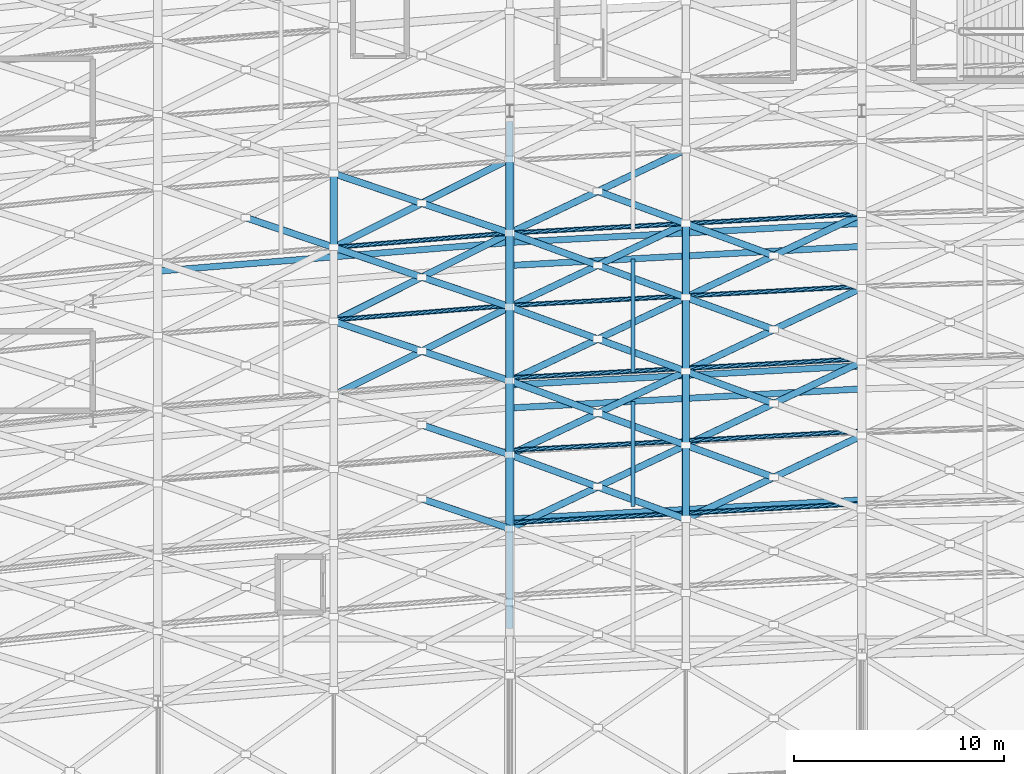
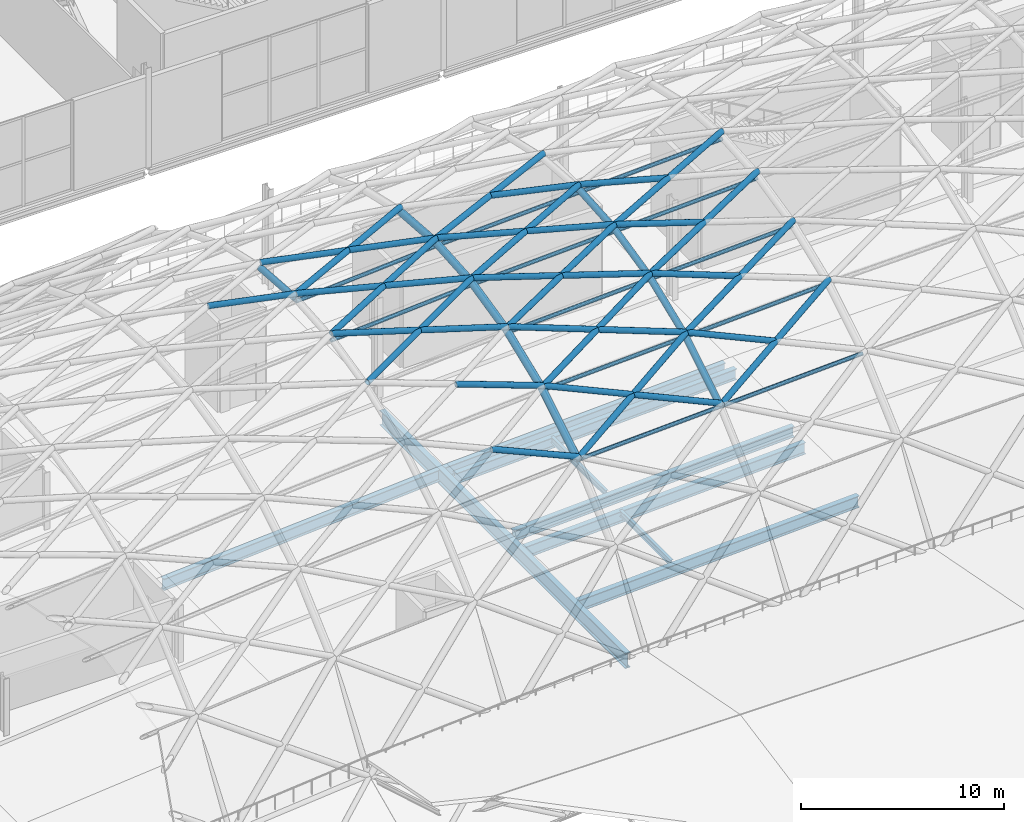
# One storey, part 16 of 100: 56 members, 9 beams.
"""IFC4 building model written with IfcOpenShell, lengths in metres."""

from ifc_helpers import new_model, si_unit, direction, frame, origin, origin_2d, place, context, subcontext, project, spatial, hollow_circle, i_section, extrude, material, material_profile, profile_set, type_object, element, save


model = new_model("IFC4")

# Units and contexts
model_context = context("Model", 3, precision=1e-05, world=origin(), true_north=direction((0.0, 1.0)))
body_context = subcontext(model_context, "Body", "Model", "MODEL_VIEW")
ifc_project = project(units=[si_unit("LENGTHUNIT", "METRE"), si_unit("AREAUNIT", "SQUARE_METRE"), si_unit("VOLUMEUNIT", "CUBIC_METRE"), si_unit("PLANEANGLEUNIT", "RADIAN"), si_unit("MASSUNIT", "GRAM", prefix="KILO")], contexts=[model_context])

# Site, building, storey
site_placement = place(None, origin())
site = spatial("IfcSite", under=ifc_project, at=site_placement, CompositionType="ELEMENT")
building_placement = place(site_placement, origin())
building = spatial("IfcBuilding", under=site, at=building_placement, Name="Kimbaza Rail Terminus", CompositionType="ELEMENT")
storey_placement = place(building_placement, frame((0.0, 0.0, 10.800048828125)))
storey = spatial("IfcBuildingStorey", under=building, at=storey_placement, Name="L02", CompositionType="ELEMENT", Elevation=10.800048828125)

# Beams
ifc_material_1 = material(Name="Steel S355", Category="steel")
ifc_material_profile_1 = material_profile(ifc_material_1, i_section(OverallWidth=0.300048828125, OverallDepth=0.64990234375, WebThickness=0.01611328125, FlangeThickness=0.031005859375, FilletRadius=0.027099609375, at=origin_2d()), Name="HEB 650")
ifc_profile_set_1 = profile_set([ifc_material_profile_1], Name="Steel S355")
beam_type_1 = type_object("IfcBeamType", Name="STR-BM-HEB650", PredefinedType="USERDEFINED", material=ifc_profile_set_1)
for number, where, z_axis, x_axis, name in (
    (1, (72.144775390625, 67.133544921875, -0.5849609375), (0.998529923153, 0.054203252368, 0.0), (-0.054203252368, 0.998529923153, 0.0), "Viaduct Chorded Girder P2 Bay 04"),
    (2, (72.144775390625, 72.833740234375, -0.5849609375), (0.998530722194, 0.054188530475, 0.0), (-0.054188530475, 0.998530722194, 0.0), "Viaduct Chorded Girder P2 Bay 04"),
):
    element("IfcBeam", number, at=place(storey_placement, frame(where, z_axis=z_axis, x_axis=x_axis)), inside=storey, type_object=beam_type_1, Name=name, ObjectType="GIRDER", PredefinedType="USERDEFINED", context=body_context, shape_type="SweptSolid", body=[
        extrude(i_section(OverallWidth=0.300048828125, OverallDepth=0.64990234375, WebThickness=0.01611328125, FlangeThickness=0.031005859375, FilletRadius=0.027099609375, at=origin_2d()), origin(), (0.0, 0.0, 1.0), 16.534912109375),
    ])
ifc_material_2 = material(Name="Steel S355", Category="steel")
ifc_material_profile_2 = material_profile(ifc_material_2, i_section(OverallWidth=0.300048828125, OverallDepth=0.699951171875, WebThickness=0.01708984375, FlangeThickness=0.031982421875, FilletRadius=0.027099609375, at=origin_2d()), Name="HEB 700")
ifc_profile_set_2 = profile_set([ifc_material_profile_2], Name="Steel S355")
beam_type_2 = type_object("IfcBeamType", Name="STR-BM-HEB700", PredefinedType="USERDEFINED", material=ifc_profile_set_2)
beam_1_placement = place(storey_placement, frame((55.344482421875, 72.567138671875, -0.920166015625), z_axis=(0.996689077675, 0.081307333267, 0.0), x_axis=(-0.081307333267, 0.996689077675, 0.0)))
element("IfcBeam", 3, at=beam_1_placement, inside=storey, type_object=beam_type_2, Name="Viaduct Chorded Girder TR34 Bay 03", ObjectType="GIRDER", PredefinedType="USERDEFINED", context=body_context, shape_type="SweptSolid", body=[
    extrude(i_section(OverallWidth=0.300048828125, OverallDepth=0.699951171875, WebThickness=0.01708984375, FlangeThickness=0.031982421875, FilletRadius=0.027099609375, at=origin_2d()), origin(), (0.0, 0.0, 1.0), 16.56591796875),
])
for number, where, z_axis, x_axis, name in (
    (4, (72.144775390625, 60.733642578125, -0.920166015625), (0.998529923153, 0.054203252368, 0.0), (-0.054203252368, 0.998529923153, 0.0), "Viaduct Chorded Girder TR12 Bay 04"),
    (5, (72.144775390625, 66.03369140625, -0.920166015625), (0.998529923153, 0.054203252368, 0.0), (-0.054203252368, 0.998529923153, 0.0), "Viaduct Chorded Girder TR12 Bay 04"),
    (6, (72.144775390625, 73.93359375, -0.920166015625), (0.998529923153, 0.054203252368, 0.0), (-0.054203252368, 0.998529923153, 0.0), "Viaduct Chorded Girder TR34 Bay 04"),
):
    element("IfcBeam", number, at=place(storey_placement, frame(where, z_axis=z_axis, x_axis=x_axis)), inside=storey, type_object=beam_type_2, Name=name, ObjectType="GIRDER", PredefinedType="USERDEFINED", context=body_context, shape_type="SweptSolid", body=[
        extrude(i_section(OverallWidth=0.300048828125, OverallDepth=0.699951171875, WebThickness=0.01708984375, FlangeThickness=0.031982421875, FilletRadius=0.027099609375, at=origin_2d()), origin(), (0.0, 0.0, 1.0), 16.534912109375),
    ])
ifc_material_3 = material(Name="Steel S355", Category="steel")
ifc_material_profile_3 = material_profile(ifc_material_3, i_section(OverallWidth=0.302001953125, OverallDepth=0.909912109375, WebThickness=0.02099609375, FlangeThickness=0.0400390625, FilletRadius=0.030029296875, at=origin_2d()), Name="HEM 900")
ifc_profile_set_3 = profile_set([ifc_material_profile_3], Name="Steel S355")
beam_type_3 = type_object("IfcBeamType", Name="STR-BM-HEM900", PredefinedType="USERDEFINED", material=ifc_profile_set_3)
beam_2_placement = place(storey_placement, frame((72.0, 55.498046875, -1.025146484375), z_axis=(0.0, 1.0, 0.0), x_axis=(-1.0, 0.0, 0.0)))
element("IfcBeam", 7, at=beam_2_placement, inside=storey, type_object=beam_type_3, Name="Warren Transfer Truss WT-01 Top Chord", ObjectType="GIRDER", PredefinedType="USERDEFINED", context=body_context, shape_type="SweptSolid", body=[
    extrude(i_section(OverallWidth=0.302001953125, OverallDepth=0.909912109375, WebThickness=0.02099609375, FlangeThickness=0.0400390625, FilletRadius=0.030029296875, at=origin_2d()), origin(), (0.0, 0.0, 1.0), 24.203857421875),
])
ifc_material_4 = material(Name="Steel S355", Category="steel")
ifc_material_profile_4 = material_profile(ifc_material_4, i_section(OverallWidth=0.169921875, OverallDepth=0.360107421875, WebThickness=0.008056640625, FlangeThickness=0.0126953125, FilletRadius=0.01806640625, at=origin_2d()), Name="IPE 360")
ifc_profile_set_4 = profile_set([ifc_material_profile_4], Name="Steel S355")
beam_type_4 = type_object("IfcBeamType", Name="STR-BM-IPE360", PredefinedType="JOIST", material=ifc_profile_set_4)
beam_3_placement = place(storey_placement, frame((77.8798828125, 61.32666015625, -0.75), z_axis=(0.0, 1.0, 0.0), x_axis=(-1.0, 0.0, 0.0)))
element("IfcBeam", 8, at=beam_3_placement, inside=storey, type_object=beam_type_4, Name="Viaduct Diaphragm TR12 Bay 04", PredefinedType="JOIST", context=body_context, shape_type="SweptSolid", body=[
    extrude(i_section(OverallWidth=0.169921875, OverallDepth=0.360107421875, WebThickness=0.008056640625, FlangeThickness=0.0126953125, FilletRadius=0.01806640625, at=origin_2d()), origin(), (0.0, 0.0, 1.0), 5.010009765625),
])
beam_4_placement = place(storey_placement, frame((77.8798828125, 67.726806640625, -0.43994140625), z_axis=(0.0, 1.0, 0.0), x_axis=(-1.0, 0.0, 0.0)))
element("IfcBeam", 9, at=beam_4_placement, inside=storey, type_object=beam_type_4, Name="Viaduct Diaphragm P2 Bay 04", PredefinedType="JOIST", context=body_context, shape_type="SweptSolid", body=[
    extrude(i_section(OverallWidth=0.169921875, OverallDepth=0.360107421875, WebThickness=0.008056640625, FlangeThickness=0.0126953125, FilletRadius=0.01806640625, at=origin_2d()), origin(), (0.0, 0.0, 1.0), 5.409912109375),
])

# Members
ifc_material_5 = material(Name="White painted steel S355", Category="steel")
ifc_material_profile_5 = material_profile(ifc_material_5, hollow_circle(Radius=0.109619140625, WallThickness=0.008056640625, at=origin_2d()), Name="CHS 219.1x8")
ifc_profile_set_5 = profile_set([ifc_material_profile_5], Name="White painted steel S355")
member_type_1 = type_object("IfcMemberType", Name="STR-MB-CHS219", PredefinedType="PURLIN", material=ifc_profile_set_5)
for number, where, z_axis, x_axis, name in (
    (10, (63.60009765625, 70.233642578125, 12.25244140625), (0.996690845265, 0.081285662728, 0.0), (-0.081285662728, 0.996690845265, 0.0), "Vault lattice longitudinal purlin VR-05-VA06"),
    (11, (63.60009765625, 73.690673828125, 12.510009765625), (0.996690845265, 0.081285662728, 0.0), (-0.081285662728, 0.996690845265, 0.0), "Vault lattice longitudinal purlin VR-05-VA07"),
):
    element("IfcMember", number, at=place(storey_placement, frame(where, z_axis=z_axis, x_axis=x_axis)), inside=storey, type_object=member_type_1, Name=name, PredefinedType="PURLIN", context=body_context, shape_type="SweptSolid", body=[
        extrude(hollow_circle(Radius=0.109619140625, WallThickness=0.008056640625, at=origin_2d()), origin(), (0.0, 0.0, 1.0), 8.427734375),
    ])
for number, where, z_axis, x_axis, name in (
    (12, (72.0, 60.547607421875, 7.9716796875), (0.998529393298, 0.054213012459, 0.0), (-0.054213012459, 0.998529393298, 0.0), "Vault lattice longitudinal purlin VR-06-VA03"),
    (13, (72.0, 64.004638671875, 10.078857421875), (0.998529393298, 0.054213012459, 0.0), (-0.054213012459, 0.998529393298, 0.0), "Vault lattice longitudinal purlin VR-06-VA04"),
    (14, (72.0, 67.461669921875, 11.462158203125), (0.998529393298, 0.054213012459, 0.0), (-0.054213012459, 0.998529393298, 0.0), "Vault lattice longitudinal purlin VR-06-VA05"),
    (15, (72.0, 70.918701171875, 12.25244140625), (0.998529393298, 0.054213012459, 0.0), (-0.054213012459, 0.998529393298, 0.0), "Vault lattice longitudinal purlin VR-06-VA06"),
    (16, (72.0, 74.375732421875, 12.510009765625), (0.998529393298, 0.054213012459, 0.0), (-0.054213012459, 0.998529393298, 0.0), "Vault lattice longitudinal purlin VR-06-VA07"),
):
    element("IfcMember", number, at=place(storey_placement, frame(where, z_axis=z_axis, x_axis=x_axis)), inside=storey, type_object=member_type_1, Name=name, PredefinedType="PURLIN", context=body_context, shape_type="SweptSolid", body=[
        extrude(hollow_circle(Radius=0.109619140625, WallThickness=0.008056640625, at=origin_2d()), origin(), (0.0, 0.0, 1.0), 8.412353515625),
    ])
for number, where, z_axis, x_axis, name in (
    (17, (80.39990234375, 61.003662109375, 7.9716796875), (0.998531049137, 0.054182505558, 0.0), (-0.054182505558, 0.998531049137, 0.0), "Vault lattice longitudinal purlin VR-07-VA03"),
    (18, (80.39990234375, 64.460693359375, 10.078857421875), (0.998531049137, 0.054182505558, 0.0), (-0.054182505558, 0.998531049137, 0.0), "Vault lattice longitudinal purlin VR-07-VA04"),
    (19, (80.39990234375, 67.917724609375, 11.462158203125), (0.998531049137, 0.054182505558, 0.0), (-0.054182505558, 0.998531049137, 0.0), "Vault lattice longitudinal purlin VR-07-VA05"),
    (20, (80.39990234375, 71.374755859375, 12.25244140625), (0.998531049137, 0.054182505558, 0.0), (-0.054182505558, 0.998531049137, 0.0), "Vault lattice longitudinal purlin VR-07-VA06"),
    (21, (80.39990234375, 74.831787109375, 12.510009765625), (0.998531049137, 0.054182505558, 0.0), (-0.054182505558, 0.998531049137, 0.0), "Vault lattice longitudinal purlin VR-07-VA07"),
):
    element("IfcMember", number, at=place(storey_placement, frame(where, z_axis=z_axis, x_axis=x_axis)), inside=storey, type_object=member_type_1, Name=name, PredefinedType="PURLIN", context=body_context, shape_type="SweptSolid", body=[
        extrude(hollow_circle(Radius=0.109619140625, WallThickness=0.008056640625, at=origin_2d()), origin(), (0.0, 0.0, 1.0), 8.41259765625),
    ])
ifc_material_6 = material(Name="White painted steel S355", Category="steel")
ifc_material_profile_6 = material_profile(ifc_material_6, hollow_circle(Radius=0.161865234375, WallThickness=0.010009765625, at=origin_2d()), Name="CHS 323.9x10")
ifc_profile_set_6 = profile_set([ifc_material_profile_6], Name="White painted steel S355")
member_type_2 = type_object("IfcMemberType", Name="STR-MB-CHS323", PredefinedType="STRUT", material=ifc_profile_set_6)
member_1_placement = place(storey_placement, frame((63.60009765625, 73.690673828125, 12.97998046875), z_axis=(-0.946865670763, 0.32026338864, -0.029610191285), x_axis=(-0.320403878643, -0.947281032509, 0.0)))
element("IfcMember", 22, at=member_1_placement, inside=storey, type_object=member_type_2, Name="Vault lattice diagonal B1 VR-04-VA07", PredefinedType="STRUT", context=body_context, shape_type="SweptSolid", body=[
    extrude(hollow_circle(Radius=0.161865234375, WallThickness=0.010009765625, at=origin_2d()), origin(), (0.0, 0.0, 1.0), 4.435791015625),
])
member_2_placement = place(storey_placement, frame((72.0, 60.26904296875, 8.350341796875), z_axis=(-0.920600682029, 0.311451256723, 0.235568459123), x_axis=(-0.320470001168, -0.947258664965, 0.0)))
element("IfcMember", 23, at=member_2_placement, inside=storey, type_object=member_type_2, Name="Vault lattice diagonal B1 VR-05-VA03", PredefinedType="STRUT", context=body_context, shape_type="SweptSolid", body=[
    extrude(hollow_circle(Radius=0.161865234375, WallThickness=0.010009765625, at=origin_2d()), origin(), (0.0, 0.0, 1.0), 4.562255859375),
])
member_3_placement = place(storey_placement, frame((72.0, 63.7958984375, 10.499755859375), z_axis=(-0.935495888946, 0.316436120315, 0.157212033654), x_axis=(-0.320420591372, -0.94727537951, 0.0)))
element("IfcMember", 24, at=member_3_placement, inside=storey, type_object=member_type_2, Name="Vault lattice diagonal B1 VR-05-VA04", PredefinedType="STRUT", context=body_context, shape_type="SweptSolid", body=[
    extrude(hollow_circle(Radius=0.161865234375, WallThickness=0.010009765625, at=origin_2d()), origin(), (0.0, 0.0, 1.0), 4.489501953125),
])
member_4_placement = place(storey_placement, frame((63.60009765625, 66.63720703125, 11.9111328125), z_axis=(0.890645786714, 0.446591324548, 0.085476730446), x_axis=(-0.448231777961, 0.893917374944, 0.0)))
element("IfcMember", 25, at=member_4_placement, inside=storey, type_object=member_type_2, Name="Vault lattice diagonal A VR-05-VA05", PredefinedType="STRUT", context=body_context, shape_type="SweptSolid", body=[
    extrude(hollow_circle(Radius=0.161865234375, WallThickness=0.010009765625, at=origin_2d()), origin(), (0.0, 0.0, 1.0), 9.43115234375),
])
member_5_placement = place(storey_placement, frame((72.0, 67.322509765625, 11.9111328125), z_axis=(-0.943384904666, 0.319104618976, 0.090538189711), x_axis=(-0.320420591372, -0.94727537951, 0.0)))
element("IfcMember", 26, at=member_5_placement, inside=storey, type_object=member_type_2, Name="Vault lattice diagonal B1 VR-05-VA05", PredefinedType="STRUT", context=body_context, shape_type="SweptSolid", body=[
    extrude(hollow_circle(Radius=0.161865234375, WallThickness=0.010009765625, at=origin_2d()), origin(), (0.0, 0.0, 1.0), 4.451904296875),
])
member_6_placement = place(storey_placement, frame((67.800048828125, 68.7431640625, 12.314208984375), z_axis=(-0.943368395214, 0.319153872007, 0.090536605272), x_axis=(-0.320470001168, -0.947258664965, 0.0)))
element("IfcMember", 27, at=member_6_placement, inside=storey, type_object=member_type_2, Name="Vault lattice diagonal B2 VR-05-VA05", PredefinedType="STRUT", context=body_context, shape_type="SweptSolid", body=[
    extrude(hollow_circle(Radius=0.161865234375, WallThickness=0.010009765625, at=origin_2d()), origin(), (0.0, 0.0, 1.0), 4.4521484375),
])
member_7_placement = place(storey_placement, frame((63.60009765625, 70.1640625, 12.71728515625), z_axis=(0.893578661684, 0.448035967352, 0.027945435098), x_axis=(-0.448211016135, 0.893927785123, 0.0)))
element("IfcMember", 28, at=member_7_placement, inside=storey, type_object=member_type_2, Name="Vault lattice diagonal A VR-05-VA06", PredefinedType="STRUT", context=body_context, shape_type="SweptSolid", body=[
    extrude(hollow_circle(Radius=0.161865234375, WallThickness=0.010009765625, at=origin_2d()), origin(), (0.0, 0.0, 1.0), 9.400390625),
])
member_8_placement = place(storey_placement, frame((72.0, 70.84912109375, 12.71728515625), z_axis=(-0.946859976938, 0.320280079393, 0.029611734441), x_axis=(-0.320420591372, -0.94727537951, 0.0)))
element("IfcMember", 29, at=member_8_placement, inside=storey, type_object=member_type_2, Name="Vault lattice diagonal B1 VR-05-VA06", PredefinedType="STRUT", context=body_context, shape_type="SweptSolid", body=[
    extrude(hollow_circle(Radius=0.161865234375, WallThickness=0.010009765625, at=origin_2d()), origin(), (0.0, 0.0, 1.0), 4.435546875),
])
member_9_placement = place(storey_placement, frame((67.800048828125, 72.269775390625, 12.8486328125), z_axis=(-0.946843284373, 0.320329472479, 0.029611212404), x_axis=(-0.320470001168, -0.947258664965, 0.0)))
element("IfcMember", 30, at=member_9_placement, inside=storey, type_object=member_type_2, Name="Vault lattice diagonal B2 VR-05-VA06", PredefinedType="STRUT", context=body_context, shape_type="SweptSolid", body=[
    extrude(hollow_circle(Radius=0.161865234375, WallThickness=0.010009765625, at=origin_2d()), origin(), (0.0, 0.0, 1.0), 4.435791015625),
])
member_10_placement = place(storey_placement, frame((63.60009765625, 73.690673828125, 12.97998046875), z_axis=(0.893578661684, 0.448035967352, -0.027945435098), x_axis=(-0.448211016135, 0.893927785123, 0.0)))
element("IfcMember", 31, at=member_10_placement, inside=storey, type_object=member_type_2, Name="Vault lattice diagonal A VR-05-VA07", PredefinedType="STRUT", context=body_context, shape_type="SweptSolid", body=[
    extrude(hollow_circle(Radius=0.161865234375, WallThickness=0.010009765625, at=origin_2d()), origin(), (0.0, 0.0, 1.0), 9.400390625),
])
member_11_placement = place(storey_placement, frame((72.0, 74.375732421875, 12.97998046875), z_axis=(-0.946843284373, 0.320329472479, -0.029611212404), x_axis=(-0.320470001168, -0.947258664965, 0.0)))
element("IfcMember", 32, at=member_11_placement, inside=storey, type_object=member_type_2, Name="Vault lattice diagonal B1 VR-05-VA07", PredefinedType="STRUT", context=body_context, shape_type="SweptSolid", body=[
    extrude(hollow_circle(Radius=0.161865234375, WallThickness=0.010009765625, at=origin_2d()), origin(), (0.0, 0.0, 1.0), 4.435791015625),
])
member_12_placement = place(storey_placement, frame((67.800048828125, 75.796630859375, 12.8486328125), z_axis=(-0.946859976938, 0.320280079393, -0.029611734441), x_axis=(-0.320420591372, -0.94727537951, 0.0)))
element("IfcMember", 33, at=member_12_placement, inside=storey, type_object=member_type_2, Name="Vault lattice diagonal B2 VR-05-VA07", PredefinedType="STRUT", context=body_context, shape_type="SweptSolid", body=[
    extrude(hollow_circle(Radius=0.161865234375, WallThickness=0.010009765625, at=origin_2d()), origin(), (0.0, 0.0, 1.0), 4.435546875),
])
member_13_placement = place(storey_placement, frame((72.0, 60.26904296875, 8.350341796875), z_axis=(0.880355713115, 0.417405183632, 0.225270351051), x_axis=(-0.428417090475, 0.903581095745, 0.0)))
element("IfcMember", 34, at=member_13_placement, inside=storey, type_object=member_type_2, Name="Vault lattice diagonal A VR-06-VA03", PredefinedType="STRUT", context=body_context, shape_type="SweptSolid", body=[
    extrude(hollow_circle(Radius=0.161865234375, WallThickness=0.010009765625, at=origin_2d()), origin(), (0.0, 0.0, 1.0), 9.54150390625),
])
for number, where, z_axis, x_axis, name in (
    (35, (80.39990234375, 60.72509765625, 8.350341796875), (-0.913204657707, 0.333845497432, 0.233675922992), (-0.343351337448, -0.939207037385, 0.0), "Vault lattice diagonal B1 VR-06-VA03"),
    (36, (76.199951171875, 62.260498046875, 9.425048828125), (-0.913204657707, 0.333845497432, 0.233675922992), (-0.343351337448, -0.939207037385, 0.0), "Vault lattice diagonal B2 VR-06-VA03"),
):
    element("IfcMember", number, at=place(storey_placement, frame(where, z_axis=z_axis, x_axis=x_axis)), inside=storey, type_object=member_type_2, Name=name, PredefinedType="STRUT", context=body_context, shape_type="SweptSolid", body=[
        extrude(hollow_circle(Radius=0.161865234375, WallThickness=0.010009765625, at=origin_2d()), origin(), (0.0, 0.0, 1.0), 4.59912109375),
    ])
member_14_placement = place(storey_placement, frame((72.0, 63.7958984375, 10.499755859375), z_axis=(0.89335376548, 0.423542016582, 0.150103996926), x_axis=(-0.428395648018, 0.903591261998, 0.0)))
element("IfcMember", 37, at=member_14_placement, inside=storey, type_object=member_type_2, Name="Vault lattice diagonal A VR-06-VA04", PredefinedType="STRUT", context=body_context, shape_type="SweptSolid", body=[
    extrude(hollow_circle(Radius=0.161865234375, WallThickness=0.010009765625, at=origin_2d()), origin(), (0.0, 0.0, 1.0), 9.402587890625),
])
for number, where, z_axis, x_axis, name in (
    (38, (80.39990234375, 64.251708984375, 10.499755859375), (-0.927722364292, 0.33915281922, 0.155905676636), (-0.343351337448, -0.939207037385, 0.0), "Vault lattice diagonal B1 VR-06-VA04"),
    (39, (76.199951171875, 65.787109375, 11.20556640625), (-0.927730163027, 0.339155670248, 0.155853058836), (-0.343351337448, -0.939207037385, 0.0), "Vault lattice diagonal B2 VR-06-VA04"),
):
    element("IfcMember", number, at=place(storey_placement, frame(where, z_axis=z_axis, x_axis=x_axis)), inside=storey, type_object=member_type_2, Name=name, PredefinedType="STRUT", context=body_context, shape_type="SweptSolid", body=[
        extrude(hollow_circle(Radius=0.161865234375, WallThickness=0.010009765625, at=origin_2d()), origin(), (0.0, 0.0, 1.0), 4.527099609375),
    ])
member_15_placement = place(storey_placement, frame((72.0, 67.322509765625, 11.9111328125), z_axis=(0.900202656216, 0.42681526277, 0.086393918817), x_axis=(-0.428417090475, 0.903581095745, 0.0)))
element("IfcMember", 40, at=member_15_placement, inside=storey, type_object=member_type_2, Name="Vault lattice diagonal A VR-06-VA05", PredefinedType="STRUT", context=body_context, shape_type="SweptSolid", body=[
    extrude(hollow_circle(Radius=0.161865234375, WallThickness=0.010009765625, at=origin_2d()), origin(), (0.0, 0.0, 1.0), 9.3310546875),
])
for number, where, z_axis, x_axis, name in (
    (41, (80.39990234375, 67.7783203125, 11.9111328125), (-0.935414732903, 0.34196496281, 0.089773279313), (-0.343351337448, -0.939207037385, 0.0), "Vault lattice diagonal B1 VR-06-VA05"),
    (42, (76.199951171875, 69.313720703125, 12.314208984375), (-0.935414732903, 0.34196496281, 0.089773279313), (-0.343351337448, -0.939207037385, 0.0), "Vault lattice diagonal B2 VR-06-VA05"),
):
    element("IfcMember", number, at=place(storey_placement, frame(where, z_axis=z_axis, x_axis=x_axis)), inside=storey, type_object=member_type_2, Name=name, PredefinedType="STRUT", context=body_context, shape_type="SweptSolid", body=[
        extrude(hollow_circle(Radius=0.161865234375, WallThickness=0.010009765625, at=origin_2d()), origin(), (0.0, 0.0, 1.0), 4.489990234375),
    ])
member_16_placement = place(storey_placement, frame((72.0, 70.84912109375, 12.71728515625), z_axis=(0.903220544016, 0.428246141212, 0.028246971614), x_axis=(-0.428417090475, 0.903581095745, 0.0)))
element("IfcMember", 43, at=member_16_placement, inside=storey, type_object=member_type_2, Name="Vault lattice diagonal A VR-06-VA06", PredefinedType="STRUT", context=body_context, shape_type="SweptSolid", body=[
    extrude(hollow_circle(Radius=0.161865234375, WallThickness=0.010009765625, at=origin_2d()), origin(), (0.0, 0.0, 1.0), 9.300048828125),
])
for number, where, z_axis, x_axis, name in (
    (44, (80.39990234375, 71.30517578125, 12.71728515625), (-0.938819736816, 0.343155176719, 0.029360287067), (-0.343303176831, -0.939224642339, 0.0), "Vault lattice diagonal B1 VR-06-VA06"),
    (45, (76.199951171875, 72.84033203125, 12.8486328125), (-0.938802154619, 0.343203322118, 0.029359737208), (-0.343351337448, -0.939207037385, 0.0), "Vault lattice diagonal B2 VR-06-VA06"),
):
    element("IfcMember", number, at=place(storey_placement, frame(where, z_axis=z_axis, x_axis=x_axis)), inside=storey, type_object=member_type_2, Name=name, PredefinedType="STRUT", context=body_context, shape_type="SweptSolid", body=[
        extrude(hollow_circle(Radius=0.161865234375, WallThickness=0.010009765625, at=origin_2d()), origin(), (0.0, 0.0, 1.0), 4.4736328125),
    ])
member_17_placement = place(storey_placement, frame((72.0, 74.375732421875, 12.97998046875), z_axis=(0.903220544016, 0.428246141212, -0.028246971614), x_axis=(-0.428417090475, 0.903581095745, 0.0)))
element("IfcMember", 46, at=member_17_placement, inside=storey, type_object=member_type_2, Name="Vault lattice diagonal A VR-06-VA07", PredefinedType="STRUT", context=body_context, shape_type="SweptSolid", body=[
    extrude(hollow_circle(Radius=0.161865234375, WallThickness=0.010009765625, at=origin_2d()), origin(), (0.0, 0.0, 1.0), 9.300048828125),
])
member_18_placement = place(storey_placement, frame((80.39990234375, 74.831787109375, 12.97998046875), z_axis=(-0.938802154619, 0.343203322118, -0.029359737208), x_axis=(-0.343351337448, -0.939207037385, 0.0)))
element("IfcMember", 47, at=member_18_placement, inside=storey, type_object=member_type_2, Name="Vault lattice diagonal B1 VR-06-VA07", PredefinedType="STRUT", context=body_context, shape_type="SweptSolid", body=[
    extrude(hollow_circle(Radius=0.161865234375, WallThickness=0.010009765625, at=origin_2d()), origin(), (0.0, 0.0, 1.0), 4.4736328125),
])
member_19_placement = place(storey_placement, frame((80.39990234375, 60.72509765625, 8.350341796875), z_axis=(0.880361469387, 0.417395781385, 0.225265276731), x_axis=(-0.428406924297, 0.90358591579, 0.0)))
element("IfcMember", 48, at=member_19_placement, inside=storey, type_object=member_type_2, Name="Vault lattice diagonal A VR-07-VA03", PredefinedType="STRUT", context=body_context, shape_type="SweptSolid", body=[
    extrude(hollow_circle(Radius=0.161865234375, WallThickness=0.010009765625, at=origin_2d()), origin(), (0.0, 0.0, 1.0), 9.541748046875),
])
member_20_placement = place(storey_placement, frame((84.60009765625, 62.71630859375, 9.425048828125), z_axis=(-0.913213472055, 0.333829314448, 0.233664595675), x_axis=(-0.343333732431, -0.939213473165, 0.0)))
element("IfcMember", 49, at=member_20_placement, inside=storey, type_object=member_type_2, Name="Vault lattice diagonal B2 VR-07-VA03", PredefinedType="STRUT", context=body_context, shape_type="SweptSolid", body=[
    extrude(hollow_circle(Radius=0.161865234375, WallThickness=0.010009765625, at=origin_2d()), origin(), (0.0, 0.0, 1.0), 4.599365234375),
])
member_21_placement = place(storey_placement, frame((80.39990234375, 64.251708984375, 10.499755859375), z_axis=(0.893349183923, 0.42355349892, 0.150098864541), x_axis=(-0.428406924297, 0.90358591579, 0.0)))
element("IfcMember", 50, at=member_21_placement, inside=storey, type_object=member_type_2, Name="Vault lattice diagonal A VR-07-VA04", PredefinedType="STRUT", context=body_context, shape_type="SweptSolid", body=[
    extrude(hollow_circle(Radius=0.161865234375, WallThickness=0.010009765625, at=origin_2d()), origin(), (0.0, 0.0, 1.0), 9.403076171875),
])
member_22_placement = place(storey_placement, frame((84.60009765625, 66.242919921875, 11.20556640625), z_axis=(-0.927737675592, 0.339138702732, 0.15584526171), x_axis=(-0.343333732431, -0.939213473165, 0.0)))
element("IfcMember", 51, at=member_22_placement, inside=storey, type_object=member_type_2, Name="Vault lattice diagonal B2 VR-07-VA04", PredefinedType="STRUT", context=body_context, shape_type="SweptSolid", body=[
    extrude(hollow_circle(Radius=0.161865234375, WallThickness=0.010009765625, at=origin_2d()), origin(), (0.0, 0.0, 1.0), 4.52734375),
])
member_23_placement = place(storey_placement, frame((80.39990234375, 67.7783203125, 11.9111328125), z_axis=(0.900207617678, 0.426805210195, 0.086391884023), x_axis=(-0.428406924297, 0.90358591579, 0.0)))
element("IfcMember", 52, at=member_23_placement, inside=storey, type_object=member_type_2, Name="Vault lattice diagonal A VR-07-VA05", PredefinedType="STRUT", context=body_context, shape_type="SweptSolid", body=[
    extrude(hollow_circle(Radius=0.161865234375, WallThickness=0.010009765625, at=origin_2d()), origin(), (0.0, 0.0, 1.0), 9.331298828125),
])
member_24_placement = place(storey_placement, frame((84.60009765625, 69.769775390625, 12.314208984375), z_axis=(-0.935421529232, 0.341947570178, 0.089768713367), x_axis=(-0.343333732431, -0.939213473165, 0.0)))
element("IfcMember", 53, at=member_24_placement, inside=storey, type_object=member_type_2, Name="Vault lattice diagonal B2 VR-07-VA05", PredefinedType="STRUT", context=body_context, shape_type="SweptSolid", body=[
    extrude(hollow_circle(Radius=0.161865234375, WallThickness=0.010009765625, at=origin_2d()), origin(), (0.0, 0.0, 1.0), 4.490234375),
])
member_25_placement = place(storey_placement, frame((80.39990234375, 71.30517578125, 12.71728515625), z_axis=(0.903235532899, 0.428214549732, 0.028246619391), x_axis=(-0.42838548212, 0.903596081614, 0.0)))
element("IfcMember", 54, at=member_25_placement, inside=storey, type_object=member_type_2, Name="Vault lattice diagonal A VR-07-VA06", PredefinedType="STRUT", context=body_context, shape_type="SweptSolid", body=[
    extrude(hollow_circle(Radius=0.161865234375, WallThickness=0.010009765625, at=origin_2d()), origin(), (0.0, 0.0, 1.0), 9.300048828125),
])
member_26_placement = place(storey_placement, frame((84.60009765625, 73.29638671875, 12.8486328125), z_axis=(-0.938808629118, 0.343185739858, 0.029358233112), x_axis=(-0.343333732431, -0.939213473165, 0.0)))
element("IfcMember", 55, at=member_26_placement, inside=storey, type_object=member_type_2, Name="Vault lattice diagonal B2 VR-07-VA06", PredefinedType="STRUT", context=body_context, shape_type="SweptSolid", body=[
    extrude(hollow_circle(Radius=0.161865234375, WallThickness=0.010009765625, at=origin_2d()), origin(), (0.0, 0.0, 1.0), 4.473876953125),
])
ifc_material_7 = material(Name="White painted steel S355", Category="steel")
ifc_material_profile_7 = material_profile(ifc_material_7, hollow_circle(Radius=0.177734375, WallThickness=0.012451171875, at=origin_2d()), Name="CHS 355.6x12.5")
ifc_profile_set_7 = profile_set([ifc_material_profile_7], Name="White painted steel S355")
member_type_3 = type_object("IfcMemberType", Name="STR-MB-CHS355", PredefinedType="CHORD", material=ifc_profile_set_7)
member_27_placement = place(storey_placement, frame((63.60009765625, 73.690673828125, 12.679931640625), z_axis=(0.0, 0.997239447362, -0.074252842537), x_axis=(-1.0, 0.0, 0.0)))
element("IfcMember", 56, at=member_27_placement, inside=storey, type_object=member_type_3, Name="Vault lattice arch chord VR-05 seg 8", PredefinedType="CHORD", context=body_context, shape_type="SweptSolid", body=[
    extrude(hollow_circle(Radius=0.177734375, WallThickness=0.012451171875, at=origin_2d()), origin(), (0.0, 0.0, 1.0), 3.49169921875),
])
member_28_placement = place(storey_placement, frame((80.39990234375, 60.90283203125, 8.108642578125), z_axis=(0.0, 0.853901304322, 0.520434974302), x_axis=(-1.0, 0.0, 0.0)))
element("IfcMember", 57, at=member_28_placement, inside=storey, type_object=member_type_3, Name="Vault lattice arch chord VR-07 seg 4", PredefinedType="CHORD", context=body_context, shape_type="SweptSolid", body=[
    extrude(hollow_circle(Radius=0.177734375, WallThickness=0.012451171875, at=origin_2d()), origin(), (0.0, 0.0, 1.0), 4.077880859375),
])
member_29_placement = place(storey_placement, frame((80.39990234375, 64.385009765625, 10.23095703125), z_axis=(0.0, 0.928413829694, 0.37154779078), x_axis=(-1.0, 0.0, 0.0)))
element("IfcMember", 58, at=member_29_placement, inside=storey, type_object=member_type_3, Name="Vault lattice arch chord VR-07 seg 5", PredefinedType="CHORD", context=body_context, shape_type="SweptSolid", body=[
    extrude(hollow_circle(Radius=0.177734375, WallThickness=0.012451171875, at=origin_2d()), origin(), (0.0, 0.0, 1.0), 3.750732421875),
])
member_30_placement = place(storey_placement, frame((80.39990234375, 67.8671875, 11.62451171875), z_axis=(0.0, 0.974848749884, 0.22286748271), x_axis=(-1.0, 0.0, 0.0)))
element("IfcMember", 59, at=member_30_placement, inside=storey, type_object=member_type_3, Name="Vault lattice arch chord VR-07 seg 6", PredefinedType="CHORD", context=body_context, shape_type="SweptSolid", body=[
    extrude(hollow_circle(Radius=0.177734375, WallThickness=0.012451171875, at=origin_2d()), origin(), (0.0, 0.0, 1.0), 3.572265625),
])
member_31_placement = place(storey_placement, frame((80.39990234375, 71.349609375, 12.420654296875), z_axis=(0.0, 0.997239447362, 0.074252842537), x_axis=(-1.0, 0.0, 0.0)))
element("IfcMember", 60, at=member_31_placement, inside=storey, type_object=member_type_3, Name="Vault lattice arch chord VR-07 seg 7", PredefinedType="CHORD", context=body_context, shape_type="SweptSolid", body=[
    extrude(hollow_circle(Radius=0.177734375, WallThickness=0.012451171875, at=origin_2d()), origin(), (0.0, 0.0, 1.0), 3.49169921875),
])
ifc_material_8 = material(Name="White painted steel S355", Category="steel")
ifc_material_profile_8 = material_profile(ifc_material_8, hollow_circle(Radius=0.203125, WallThickness=0.01416015625, at=origin_2d()), Name="CHS 406.4x14.2")
ifc_profile_set_8 = profile_set([ifc_material_profile_8], Name="White painted steel S355")
member_type_4 = type_object("IfcMemberType", Name="STR-MB-CHS406", PredefinedType="CHORD", material=ifc_profile_set_8)
member_32_placement = place(storey_placement, frame((72.0, 60.44677734375, 8.108642578125), z_axis=(0.0, 0.853917518556, 0.520408369939), x_axis=(-1.0, 0.0, 0.0)))
element("IfcMember", 61, at=member_32_placement, inside=storey, type_object=member_type_4, Name="Vault lattice arch chord VR-06 seg 4", PredefinedType="CHORD", context=body_context, shape_type="SweptSolid", body=[
    extrude(hollow_circle(Radius=0.203125, WallThickness=0.01416015625, at=origin_2d()), origin(), (0.0, 0.0, 1.0), 4.078125),
])
member_33_placement = place(storey_placement, frame((72.0, 63.92919921875, 10.23095703125), z_axis=(0.0, 0.928413829694, 0.37154779078), x_axis=(-1.0, 0.0, 0.0)))
element("IfcMember", 62, at=member_33_placement, inside=storey, type_object=member_type_4, Name="Vault lattice arch chord VR-06 seg 5", PredefinedType="CHORD", context=body_context, shape_type="SweptSolid", body=[
    extrude(hollow_circle(Radius=0.203125, WallThickness=0.01416015625, at=origin_2d()), origin(), (0.0, 0.0, 1.0), 3.750732421875),
])
member_34_placement = place(storey_placement, frame((72.0, 67.411376953125, 11.62451171875), z_axis=(0.0, 0.974845354939, 0.22288233208), x_axis=(-1.0, 0.0, 0.0)))
element("IfcMember", 63, at=member_34_placement, inside=storey, type_object=member_type_4, Name="Vault lattice arch chord VR-06 seg 6", PredefinedType="CHORD", context=body_context, shape_type="SweptSolid", body=[
    extrude(hollow_circle(Radius=0.203125, WallThickness=0.01416015625, at=origin_2d()), origin(), (0.0, 0.0, 1.0), 3.572021484375),
])
for number, where, z_axis, x_axis, name in (
    (64, (72.0, 70.8935546875, 12.420654296875), (0.0, 0.997239447362, 0.074252842537), (-1.0, 0.0, 0.0), "Vault lattice arch chord VR-06 seg 7"),
    (65, (72.0, 74.375732421875, 12.679931640625), (0.0, 0.997239447362, -0.074252842537), (-1.0, 0.0, 0.0), "Vault lattice arch chord VR-06 seg 8"),
):
    element("IfcMember", number, at=place(storey_placement, frame(where, z_axis=z_axis, x_axis=x_axis)), inside=storey, type_object=member_type_4, Name=name, PredefinedType="CHORD", context=body_context, shape_type="SweptSolid", body=[
        extrude(hollow_circle(Radius=0.203125, WallThickness=0.01416015625, at=origin_2d()), origin(), (0.0, 0.0, 1.0), 3.49169921875),
    ])

save(model, "model.ifc")
